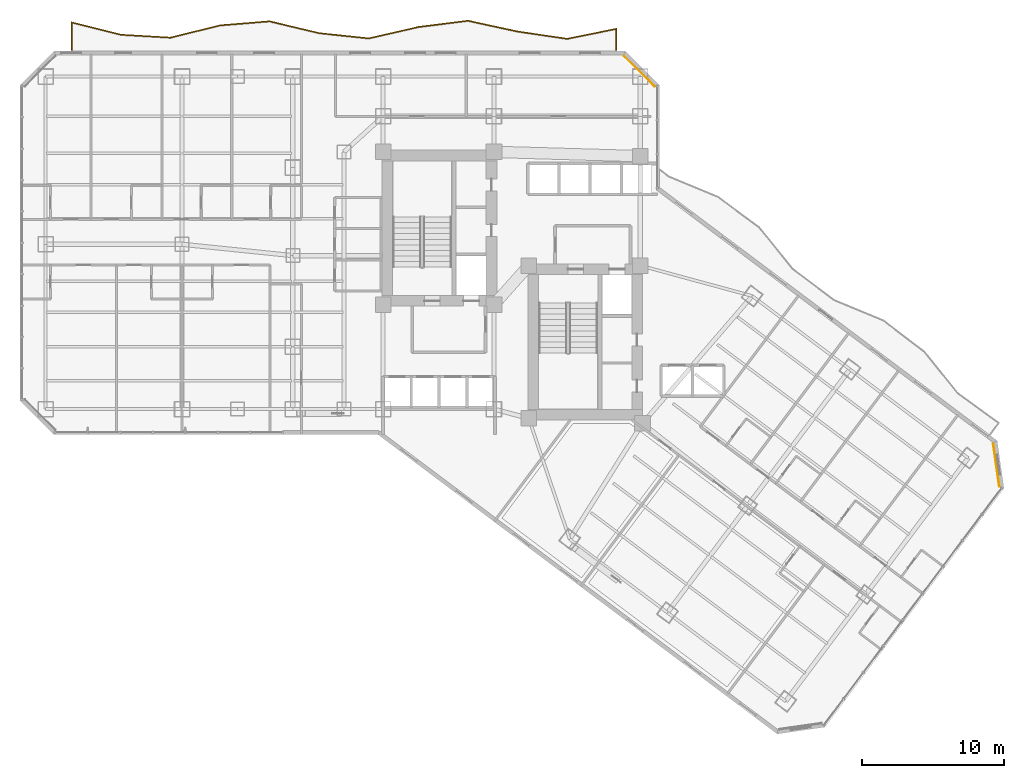
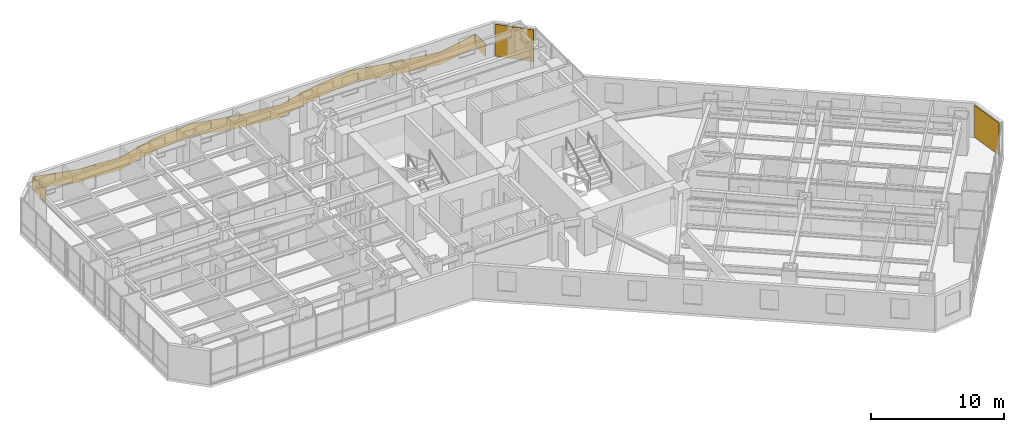
# One storey, part 32 of 32: 2 coverings, 1 railing.
"""IFC4 building model written with IfcOpenShell, lengths in metres."""

from ifc_helpers import new_model, si_unit, direction, frame, origin, origin_2d, place, context, subcontext, project, spatial, polyline, rectangle, outline, extrude, material, layer, layer_set, type_object, element, save


model = new_model("IFC4")

# Units and contexts
model_context = context("Model", 3, precision=1e-05, world=origin(), true_north=direction((0.0, 1.0)))
body_context = subcontext(model_context, "Body", "Model", "MODEL_VIEW")
ifc_project = project(units=[si_unit("LENGTHUNIT", "METRE"), si_unit("AREAUNIT", "SQUARE_METRE"), si_unit("VOLUMEUNIT", "CUBIC_METRE"), si_unit("PLANEANGLEUNIT", "RADIAN"), si_unit("MASSUNIT", "GRAM", prefix="KILO")], contexts=[model_context])

# Site, building, storey
site_placement = place(None, origin())
site = spatial("IfcSite", under=ifc_project, at=site_placement, CompositionType="ELEMENT")
building_placement = place(site_placement, origin())
building = spatial("IfcBuilding", under=site, at=building_placement, Name="Hatsunagi Terrace Concourse", CompositionType="ELEMENT")
storey_placement = place(building_placement, frame((0.0, 0.0, 46.64990234375)))
storey = spatial("IfcBuildingStorey", under=building, at=storey_placement, Name="L11", CompositionType="ELEMENT", Elevation=46.64990234375)

# Railing
ifc_material_1 = material(Name="Laminated Glass and Stainless Steel Guard", Category="steel")
ifc_layer_1 = layer(ifc_material_1, 0.070068359375)
ifc_layer_set_1 = layer_set([ifc_layer_1], Name="BalconyGlassGuardRail_1150")
railing_type = type_object("IfcRailingType", Name="BalconyGlassGuardRail_1150", PredefinedType="BALUSTRADE", material=ifc_layer_set_1)
railing_placement = place(storey_placement, origin())
element("IfcRailing", 1, at=railing_placement, inside=storey, type_object=railing_type, Name="Engawa Balcony Guard GRD-01 L11-BN-1", PredefinedType="BALUSTRADE", context=body_context, shape_type="SweptSolid", body=[
    extrude(outline(polyline([(3.614990234375, 50.449951171875), (3.68505859375, 50.449951171875), (3.68505859375, 52.366943359375), (7.07763671875, 51.50830078125), (10.59033203125, 51.3046875), (14.086669921875, 52.168212890625), (17.557373046875, 52.45361328125), (21.041015625, 51.619384765625), (24.55029296875, 51.251708984375), (28.051025390625, 52.055419921875), (31.5234375, 52.493408203125), (35.002685546875, 51.737548828125), (38.510986328125, 51.221435546875), (41.9150390625, 51.914306640625), (41.9150390625, 50.449951171875), (41.985107421875, 50.449951171875), (41.985107421875, 51.999755859375), (38.509033203125, 51.29248046875), (35.015380859375, 51.806396484375), (31.526611328125, 52.564453125), (28.038818359375, 52.12451171875), (24.5458984375, 51.322509765625), (21.052978515625, 51.688720703125), (17.562744140625, 52.5244140625), (14.0751953125, 52.23779296875), (10.583740234375, 51.375244140625), (7.08837890625, 51.57763671875), (3.614990234375, 52.45703125), (3.614990234375, 50.449951171875)])), origin(), (0.0, 0.0, 1.0), 1.150146484375),
])

# Coverings
ifc_material_2 = material(Name="Unglazed Warm Terracotta Rainscreen Tile", Category="masonry")
ifc_layer_2 = layer(ifc_material_2, 0.044921875)
ifc_layer_set_2 = layer_set([ifc_layer_2], Name="TerracottaRainscreenCladding_45")
covering_type = type_object("IfcCoveringType", Name="TerracottaRainscreenCladding_45", PredefinedType="CLADDING", material=ifc_layer_set_2)
for number, where, z_axis, x_axis, name in (
    (2, (68.700927734375, 21.258056640625, 0.10009765625), (0.0, 0.0, 1.0), (0.141250262458, -0.989973920543, 0.0), "Terracotta Rainscreen Cladding L11-02"),
    (3, (43.5859375, 48.986083984375, 0.10009765625), (0.0, 0.0, 1.0), (0.707106781187, -0.707106781187, 0.0), "Terracotta Rainscreen Cladding L11-12"),
):
    element("IfcCovering", number, at=place(storey_placement, frame(where, z_axis=z_axis, x_axis=x_axis)), inside=storey, type_object=covering_type, Name=name, PredefinedType="CLADDING", context=body_context, shape_type="SweptSolid", body=[
        extrude(rectangle(XDim=3.0380859375, YDim=0.044921875, at=origin_2d()), origin(), (0.0, 0.0, 1.0), 2.929931640625),
    ])

save(model, "model.ifc")
